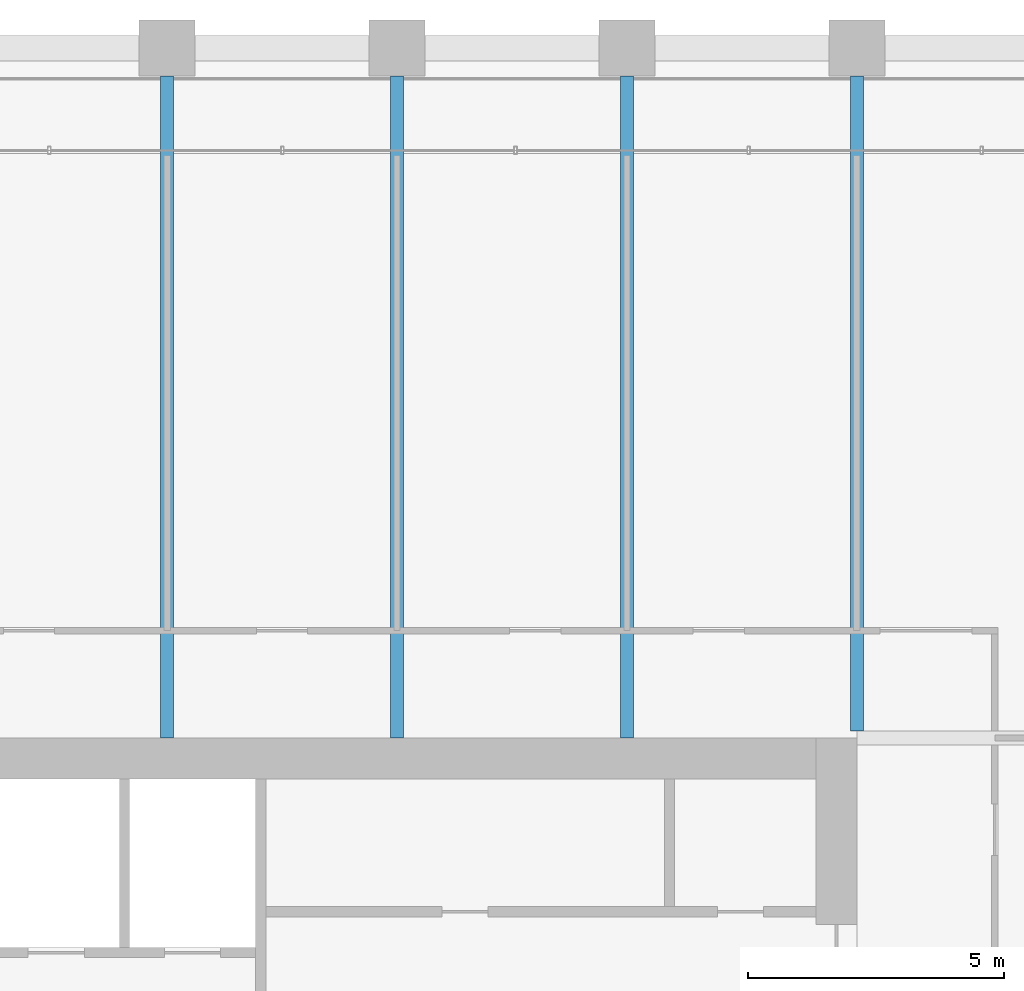
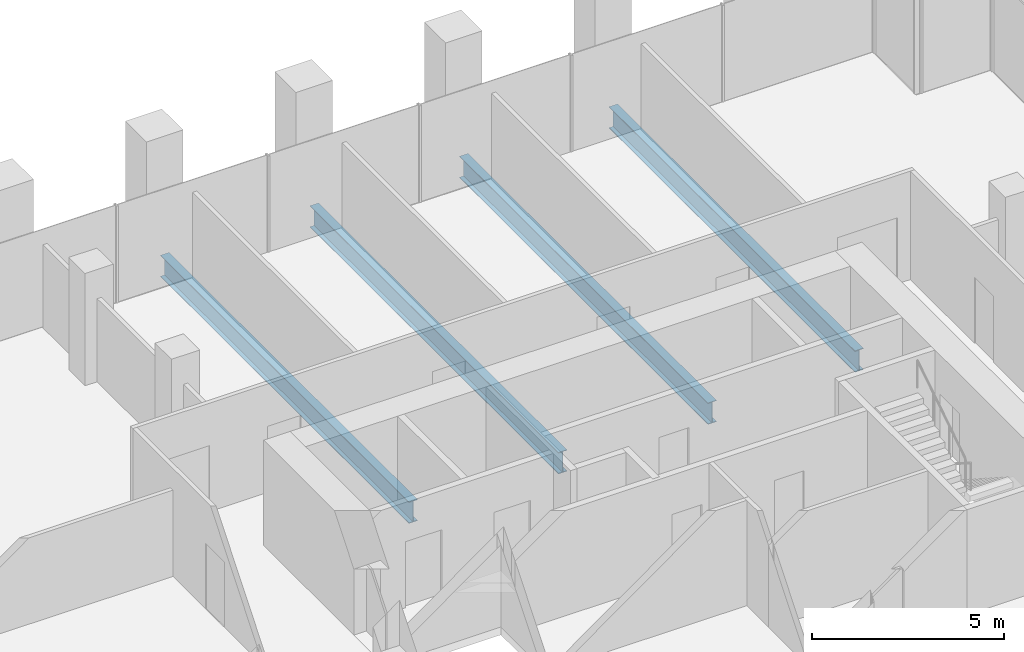
# One storey, part 28 of 56: 4 beams.
"""IFC4 building model written with IfcOpenShell, lengths in metres."""

from ifc_helpers import new_model, si_unit, direction, frame, origin, origin_2d, place, context, subcontext, project, spatial, i_section, extrude, material, material_profile, profile_set, type_object, element, save


model = new_model("IFC4")

# Units and contexts
model_context = context("Model", 3, precision=1e-05, world=origin(), true_north=direction((0.0, 1.0)))
body_context = subcontext(model_context, "Body", "Model", "MODEL_VIEW")
ifc_project = project(units=[si_unit("LENGTHUNIT", "METRE"), si_unit("AREAUNIT", "SQUARE_METRE"), si_unit("VOLUMEUNIT", "CUBIC_METRE"), si_unit("PLANEANGLEUNIT", "RADIAN"), si_unit("MASSUNIT", "GRAM", prefix="KILO")], contexts=[model_context])

# Site, building, storey
site_placement = place(None, origin())
site = spatial("IfcSite", under=ifc_project, at=site_placement, CompositionType="ELEMENT")
building_placement = place(site_placement, origin())
building = spatial("IfcBuilding", under=site, at=building_placement, Name="Altepetl Exchange Towers", CompositionType="ELEMENT")
storey_placement = place(building_placement, frame((0.0, 0.0, 51.0)))
storey = spatial("IfcBuildingStorey", under=building, at=storey_placement, Name="L11", CompositionType="ELEMENT", Elevation=51.0)

# Beams
ifc_material = material(Name="Steel S355", Category="steel")
ifc_material_profile = material_profile(ifc_material, i_section(OverallWidth=0.25390625, OverallDepth=0.68408203125, WebThickness=0.012451171875, FlangeThickness=0.018798828125, at=origin_2d()), Name="W27X94")
ifc_profile_set = profile_set([ifc_material_profile], Name="Steel S355")
beam_type = type_object("IfcBeamType", Name="Floor beam W27X94", PredefinedType="BEAM", material=ifc_profile_set)
for number, where, z_axis, x_axis, name in (
    (1, (45.0, 58.5, -0.491943359375), (0.0, 1.0, 0.0), (-1.0, 0.0, 0.0), "bm:A:L11:000"),
    (2, (49.5, 58.5, -0.491943359375), (0.0, 1.0, 0.0), (-1.0, 0.0, 0.0), "bm:A:L11:001"),
    (3, (54.0, 58.5, -0.491943359375), (0.0, 1.0, 0.0), (-1.0, 0.0, 0.0), "bm:A:L11:002"),
):
    element("IfcBeam", number, at=place(storey_placement, frame(where, z_axis=z_axis, x_axis=x_axis)), inside=storey, type_object=beam_type, Name=name, PredefinedType="BEAM", context=body_context, shape_type="SweptSolid", body=[
        extrude(i_section(OverallWidth=0.25390625, OverallDepth=0.68408203125, WebThickness=0.012451171875, FlangeThickness=0.018798828125, at=origin_2d()), origin(), (0.0, 0.0, 1.0), 12.949951171875),
    ])
beam_placement = place(storey_placement, frame((58.5, 58.634033203125, -0.491943359375), z_axis=(0.0, 1.0, 0.0), x_axis=(-1.0, 0.0, 0.0)))
element("IfcBeam", 4, at=beam_placement, inside=storey, type_object=beam_type, Name="bm:A:L11:003", PredefinedType="BEAM", context=body_context, shape_type="SweptSolid", body=[
    extrude(i_section(OverallWidth=0.25390625, OverallDepth=0.68408203125, WebThickness=0.012451171875, FlangeThickness=0.018798828125, at=origin_2d()), origin(), (0.0, 0.0, 1.0), 12.81591796875),
])

save(model, "model.ifc")
